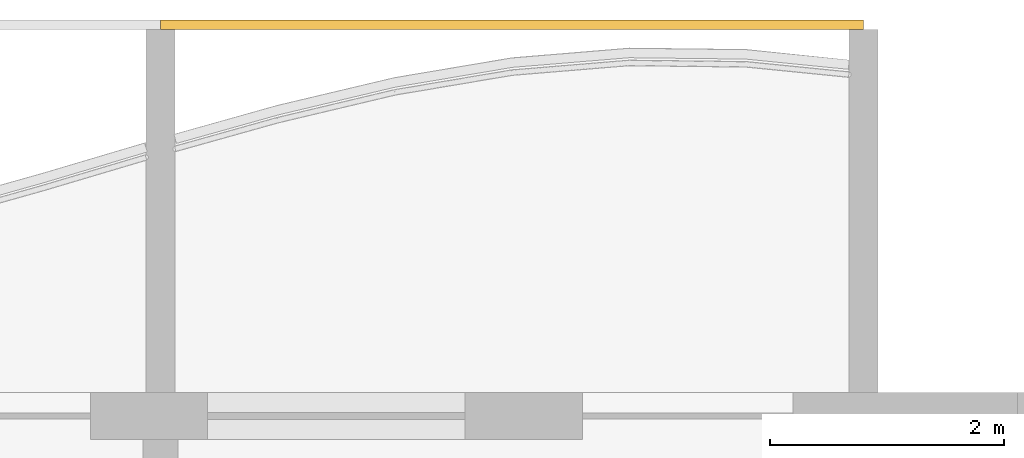
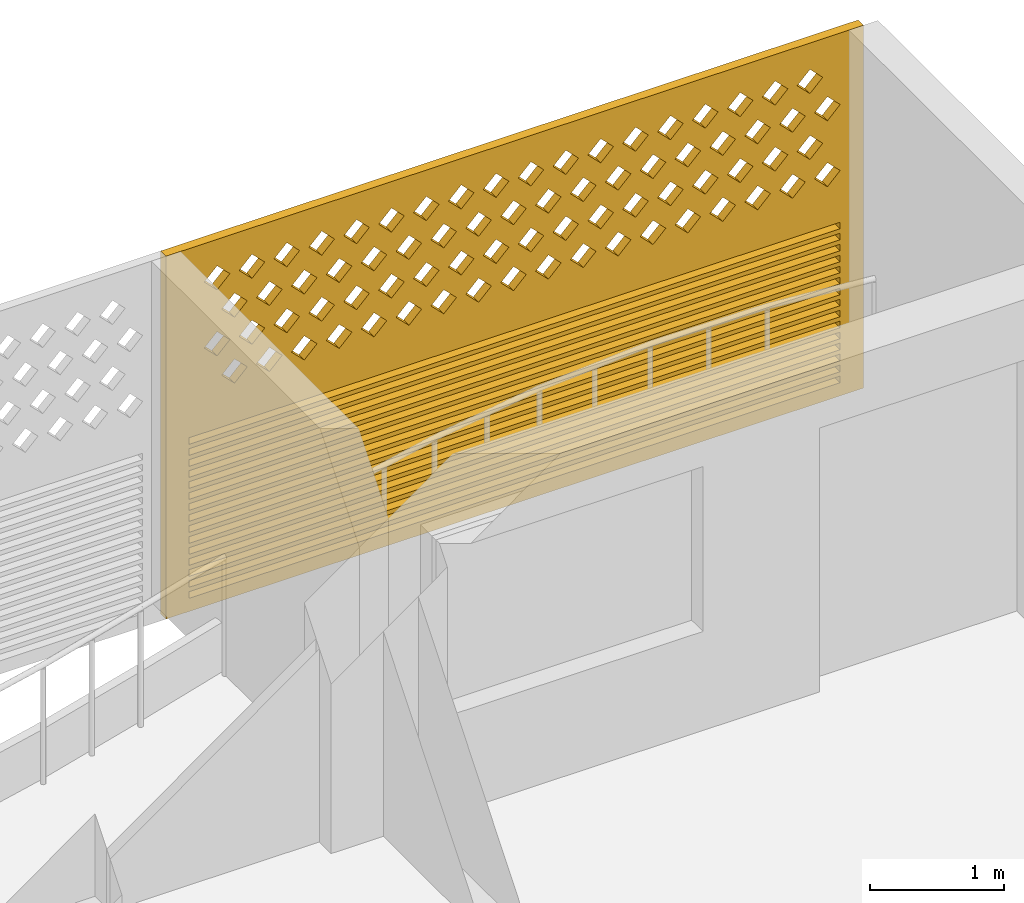
# One storey, part 26 of 26: 1 covering.
"""IFC4 building model written with IfcOpenShell, lengths in metres."""

from ifc_helpers import new_model, si_unit, direction, frame, origin, place, context, subcontext, project, spatial, polyline, outline, extrude, source, transform, mapped, material, material_profile, profile_set, type_object, element, save


model = new_model("IFC4")

# Units and contexts
model_context = context("Model", 3, precision=1e-05, world=origin(), true_north=direction((0.0, 1.0)))
body_context = subcontext(model_context, "Body", "Model", "MODEL_VIEW")
ifc_project = project(units=[si_unit("LENGTHUNIT", "METRE"), si_unit("AREAUNIT", "SQUARE_METRE"), si_unit("VOLUMEUNIT", "CUBIC_METRE"), si_unit("PLANEANGLEUNIT", "RADIAN"), si_unit("MASSUNIT", "GRAM", prefix="KILO")], contexts=[model_context])

# Site, building, storey
site_placement = place(None, origin())
site = spatial("IfcSite", under=ifc_project, at=site_placement, CompositionType="ELEMENT")
building_placement = place(site_placement, origin())
building = spatial("IfcBuilding", under=site, at=building_placement, Name="Poui Terraces", CompositionType="ELEMENT")
storey_placement = place(building_placement, frame((0.0, 0.0, 162.0)))
storey = spatial("IfcBuildingStorey", under=building, at=storey_placement, Name="L45", CompositionType="ELEMENT", Elevation=162.0)

# Covering
ifc_material = material(Name="Terracotta screen", Category="masonry")
ifc_material_profile = material_profile(ifc_material, outline(polyline([(-3.0, -1.64990234375), (3.0, -1.64990234375), (3.0, 1.64990234375), (-3.0, 1.64990234375), (-3.0, -1.64990234375)]), holes=[polyline([(-2.800048828125, 0.39990234375), (-2.68994140625, 0.2900390625), (-2.580078125, 0.39990234375), (-2.68994140625, 0.510009765625), (-2.800048828125, 0.39990234375)]), polyline([(-2.5, 0.39990234375), (-2.389892578125, 0.2900390625), (-2.280029296875, 0.39990234375), (-2.389892578125, 0.510009765625), (-2.5, 0.39990234375)]), polyline([(-2.199951171875, 0.39990234375), (-2.090087890625, 0.2900390625), (-1.97998046875, 0.39990234375), (-2.090087890625, 0.510009765625), (-2.199951171875, 0.39990234375)]), polyline([(-1.89990234375, 0.39990234375), (-1.7900390625, 0.2900390625), (-1.679931640625, 0.39990234375), (-1.7900390625, 0.510009765625), (-1.89990234375, 0.39990234375)]), polyline([(-1.60009765625, 0.39990234375), (-1.489990234375, 0.2900390625), (-1.3798828125, 0.39990234375), (-1.489990234375, 0.510009765625), (-1.60009765625, 0.39990234375)]), polyline([(-1.300048828125, 0.39990234375), (-1.18994140625, 0.2900390625), (-1.080078125, 0.39990234375), (-1.18994140625, 0.510009765625), (-1.300048828125, 0.39990234375)]), polyline([(-1.0, 0.39990234375), (-0.889892578125, 0.2900390625), (-0.780029296875, 0.39990234375), (-0.889892578125, 0.510009765625), (-1.0, 0.39990234375)]), polyline([(-0.699951171875, 0.39990234375), (-0.590087890625, 0.2900390625), (-0.47998046875, 0.39990234375), (-0.590087890625, 0.510009765625), (-0.699951171875, 0.39990234375)]), polyline([(-0.39990234375, 0.39990234375), (-0.2900390625, 0.2900390625), (-0.179931640625, 0.39990234375), (-0.2900390625, 0.510009765625), (-0.39990234375, 0.39990234375)]), polyline([(-0.10009765625, 0.39990234375), (0.010009765625, 0.2900390625), (0.1201171875, 0.39990234375), (0.010009765625, 0.510009765625), (-0.10009765625, 0.39990234375)]), polyline([(0.199951171875, 0.39990234375), (0.31005859375, 0.2900390625), (0.419921875, 0.39990234375), (0.31005859375, 0.510009765625), (0.199951171875, 0.39990234375)]), polyline([(0.5, 0.39990234375), (0.610107421875, 0.2900390625), (0.719970703125, 0.39990234375), (0.610107421875, 0.510009765625), (0.5, 0.39990234375)]), polyline([(0.800048828125, 0.39990234375), (0.909912109375, 0.2900390625), (1.02001953125, 0.39990234375), (0.909912109375, 0.510009765625), (0.800048828125, 0.39990234375)]), polyline([(1.10009765625, 0.39990234375), (1.2099609375, 0.2900390625), (1.320068359375, 0.39990234375), (1.2099609375, 0.510009765625), (1.10009765625, 0.39990234375)]), polyline([(1.39990234375, 0.39990234375), (1.510009765625, 0.2900390625), (1.6201171875, 0.39990234375), (1.510009765625, 0.510009765625), (1.39990234375, 0.39990234375)]), polyline([(1.699951171875, 0.39990234375), (1.81005859375, 0.2900390625), (1.919921875, 0.39990234375), (1.81005859375, 0.510009765625), (1.699951171875, 0.39990234375)]), polyline([(2.0, 0.39990234375), (2.110107421875, 0.2900390625), (2.219970703125, 0.39990234375), (2.110107421875, 0.510009765625), (2.0, 0.39990234375)]), polyline([(2.300048828125, 0.39990234375), (2.409912109375, 0.2900390625), (2.52001953125, 0.39990234375), (2.409912109375, 0.510009765625), (2.300048828125, 0.39990234375)]), polyline([(-2.64990234375, 0.699951171875), (-2.5400390625, 0.590087890625), (-2.429931640625, 0.699951171875), (-2.5400390625, 0.81005859375), (-2.64990234375, 0.699951171875)]), polyline([(-2.35009765625, 0.699951171875), (-2.239990234375, 0.590087890625), (-2.1298828125, 0.699951171875), (-2.239990234375, 0.81005859375), (-2.35009765625, 0.699951171875)]), polyline([(-2.050048828125, 0.699951171875), (-1.93994140625, 0.590087890625), (-1.830078125, 0.699951171875), (-1.93994140625, 0.81005859375), (-2.050048828125, 0.699951171875)]), polyline([(-1.75, 0.699951171875), (-1.639892578125, 0.590087890625), (-1.530029296875, 0.699951171875), (-1.639892578125, 0.81005859375), (-1.75, 0.699951171875)]), polyline([(-1.449951171875, 0.699951171875), (-1.340087890625, 0.590087890625), (-1.22998046875, 0.699951171875), (-1.340087890625, 0.81005859375), (-1.449951171875, 0.699951171875)]), polyline([(-1.14990234375, 0.699951171875), (-1.0400390625, 0.590087890625), (-0.929931640625, 0.699951171875), (-1.0400390625, 0.81005859375), (-1.14990234375, 0.699951171875)]), polyline([(-0.85009765625, 0.699951171875), (-0.739990234375, 0.590087890625), (-0.6298828125, 0.699951171875), (-0.739990234375, 0.81005859375), (-0.85009765625, 0.699951171875)]), polyline([(-0.550048828125, 0.699951171875), (-0.43994140625, 0.590087890625), (-0.330078125, 0.699951171875), (-0.43994140625, 0.81005859375), (-0.550048828125, 0.699951171875)]), polyline([(-0.25, 0.699951171875), (-0.139892578125, 0.590087890625), (-0.030029296875, 0.699951171875), (-0.139892578125, 0.81005859375), (-0.25, 0.699951171875)]), polyline([(0.050048828125, 0.699951171875), (0.159912109375, 0.590087890625), (0.27001953125, 0.699951171875), (0.159912109375, 0.81005859375), (0.050048828125, 0.699951171875)]), polyline([(0.35009765625, 0.699951171875), (0.4599609375, 0.590087890625), (0.570068359375, 0.699951171875), (0.4599609375, 0.81005859375), (0.35009765625, 0.699951171875)]), polyline([(0.64990234375, 0.699951171875), (0.760009765625, 0.590087890625), (0.8701171875, 0.699951171875), (0.760009765625, 0.81005859375), (0.64990234375, 0.699951171875)]), polyline([(0.949951171875, 0.699951171875), (1.06005859375, 0.590087890625), (1.169921875, 0.699951171875), (1.06005859375, 0.81005859375), (0.949951171875, 0.699951171875)]), polyline([(1.25, 0.699951171875), (1.360107421875, 0.590087890625), (1.469970703125, 0.699951171875), (1.360107421875, 0.81005859375), (1.25, 0.699951171875)]), polyline([(1.550048828125, 0.699951171875), (1.659912109375, 0.590087890625), (1.77001953125, 0.699951171875), (1.659912109375, 0.81005859375), (1.550048828125, 0.699951171875)]), polyline([(1.85009765625, 0.699951171875), (1.9599609375, 0.590087890625), (2.070068359375, 0.699951171875), (1.9599609375, 0.81005859375), (1.85009765625, 0.699951171875)]), polyline([(2.14990234375, 0.699951171875), (2.260009765625, 0.590087890625), (2.3701171875, 0.699951171875), (2.260009765625, 0.81005859375), (2.14990234375, 0.699951171875)]), polyline([(2.449951171875, 0.699951171875), (2.56005859375, 0.590087890625), (2.669921875, 0.699951171875), (2.56005859375, 0.81005859375), (2.449951171875, 0.699951171875)]), polyline([(-2.800048828125, 1.0), (-2.68994140625, 0.889892578125), (-2.580078125, 1.0), (-2.68994140625, 1.110107421875), (-2.800048828125, 1.0)]), polyline([(-2.5, 1.0), (-2.389892578125, 0.889892578125), (-2.280029296875, 1.0), (-2.389892578125, 1.110107421875), (-2.5, 1.0)]), polyline([(-2.199951171875, 1.0), (-2.090087890625, 0.889892578125), (-1.97998046875, 1.0), (-2.090087890625, 1.110107421875), (-2.199951171875, 1.0)]), polyline([(-1.89990234375, 1.0), (-1.7900390625, 0.889892578125), (-1.679931640625, 1.0), (-1.7900390625, 1.110107421875), (-1.89990234375, 1.0)]), polyline([(-1.60009765625, 1.0), (-1.489990234375, 0.889892578125), (-1.3798828125, 1.0), (-1.489990234375, 1.110107421875), (-1.60009765625, 1.0)]), polyline([(-1.300048828125, 1.0), (-1.18994140625, 0.889892578125), (-1.080078125, 1.0), (-1.18994140625, 1.110107421875), (-1.300048828125, 1.0)]), polyline([(-1.0, 1.0), (-0.889892578125, 0.889892578125), (-0.780029296875, 1.0), (-0.889892578125, 1.110107421875), (-1.0, 1.0)]), polyline([(-0.699951171875, 1.0), (-0.590087890625, 0.889892578125), (-0.47998046875, 1.0), (-0.590087890625, 1.110107421875), (-0.699951171875, 1.0)]), polyline([(-0.39990234375, 1.0), (-0.2900390625, 0.889892578125), (-0.179931640625, 1.0), (-0.2900390625, 1.110107421875), (-0.39990234375, 1.0)]), polyline([(-0.10009765625, 1.0), (0.010009765625, 0.889892578125), (0.1201171875, 1.0), (0.010009765625, 1.110107421875), (-0.10009765625, 1.0)]), polyline([(0.199951171875, 1.0), (0.31005859375, 0.889892578125), (0.419921875, 1.0), (0.31005859375, 1.110107421875), (0.199951171875, 1.0)]), polyline([(0.5, 1.0), (0.610107421875, 0.889892578125), (0.719970703125, 1.0), (0.610107421875, 1.110107421875), (0.5, 1.0)]), polyline([(0.800048828125, 1.0), (0.909912109375, 0.889892578125), (1.02001953125, 1.0), (0.909912109375, 1.110107421875), (0.800048828125, 1.0)]), polyline([(1.10009765625, 1.0), (1.2099609375, 0.889892578125), (1.320068359375, 1.0), (1.2099609375, 1.110107421875), (1.10009765625, 1.0)]), polyline([(1.39990234375, 1.0), (1.510009765625, 0.889892578125), (1.6201171875, 1.0), (1.510009765625, 1.110107421875), (1.39990234375, 1.0)]), polyline([(1.699951171875, 1.0), (1.81005859375, 0.889892578125), (1.919921875, 1.0), (1.81005859375, 1.110107421875), (1.699951171875, 1.0)]), polyline([(2.0, 1.0), (2.110107421875, 0.889892578125), (2.219970703125, 1.0), (2.110107421875, 1.110107421875), (2.0, 1.0)]), polyline([(2.300048828125, 1.0), (2.409912109375, 0.889892578125), (2.52001953125, 1.0), (2.409912109375, 1.110107421875), (2.300048828125, 1.0)]), polyline([(-2.64990234375, 1.300048828125), (-2.5400390625, 1.18994140625), (-2.429931640625, 1.300048828125), (-2.5400390625, 1.409912109375), (-2.64990234375, 1.300048828125)]), polyline([(-2.35009765625, 1.300048828125), (-2.239990234375, 1.18994140625), (-2.1298828125, 1.300048828125), (-2.239990234375, 1.409912109375), (-2.35009765625, 1.300048828125)]), polyline([(-2.050048828125, 1.300048828125), (-1.93994140625, 1.18994140625), (-1.830078125, 1.300048828125), (-1.93994140625, 1.409912109375), (-2.050048828125, 1.300048828125)]), polyline([(-1.75, 1.300048828125), (-1.639892578125, 1.18994140625), (-1.530029296875, 1.300048828125), (-1.639892578125, 1.409912109375), (-1.75, 1.300048828125)]), polyline([(-1.449951171875, 1.300048828125), (-1.340087890625, 1.18994140625), (-1.22998046875, 1.300048828125), (-1.340087890625, 1.409912109375), (-1.449951171875, 1.300048828125)]), polyline([(-1.14990234375, 1.300048828125), (-1.0400390625, 1.18994140625), (-0.929931640625, 1.300048828125), (-1.0400390625, 1.409912109375), (-1.14990234375, 1.300048828125)]), polyline([(-0.85009765625, 1.300048828125), (-0.739990234375, 1.18994140625), (-0.6298828125, 1.300048828125), (-0.739990234375, 1.409912109375), (-0.85009765625, 1.300048828125)]), polyline([(-0.550048828125, 1.300048828125), (-0.43994140625, 1.18994140625), (-0.330078125, 1.300048828125), (-0.43994140625, 1.409912109375), (-0.550048828125, 1.300048828125)]), polyline([(-0.25, 1.300048828125), (-0.139892578125, 1.18994140625), (-0.030029296875, 1.300048828125), (-0.139892578125, 1.409912109375), (-0.25, 1.300048828125)]), polyline([(0.050048828125, 1.300048828125), (0.159912109375, 1.18994140625), (0.27001953125, 1.300048828125), (0.159912109375, 1.409912109375), (0.050048828125, 1.300048828125)]), polyline([(0.35009765625, 1.300048828125), (0.4599609375, 1.18994140625), (0.570068359375, 1.300048828125), (0.4599609375, 1.409912109375), (0.35009765625, 1.300048828125)]), polyline([(0.64990234375, 1.300048828125), (0.760009765625, 1.18994140625), (0.8701171875, 1.300048828125), (0.760009765625, 1.409912109375), (0.64990234375, 1.300048828125)]), polyline([(0.949951171875, 1.300048828125), (1.06005859375, 1.18994140625), (1.169921875, 1.300048828125), (1.06005859375, 1.409912109375), (0.949951171875, 1.300048828125)]), polyline([(1.25, 1.300048828125), (1.360107421875, 1.18994140625), (1.469970703125, 1.300048828125), (1.360107421875, 1.409912109375), (1.25, 1.300048828125)]), polyline([(1.550048828125, 1.300048828125), (1.659912109375, 1.18994140625), (1.77001953125, 1.300048828125), (1.659912109375, 1.409912109375), (1.550048828125, 1.300048828125)]), polyline([(1.85009765625, 1.300048828125), (1.9599609375, 1.18994140625), (2.070068359375, 1.300048828125), (1.9599609375, 1.409912109375), (1.85009765625, 1.300048828125)]), polyline([(2.14990234375, 1.300048828125), (2.260009765625, 1.18994140625), (2.3701171875, 1.300048828125), (2.260009765625, 1.409912109375), (2.14990234375, 1.300048828125)]), polyline([(2.449951171875, 1.300048828125), (2.56005859375, 1.18994140625), (2.669921875, 1.300048828125), (2.56005859375, 1.409912109375), (2.449951171875, 1.300048828125)]), polyline([(-2.800048828125, -1.530029296875), (2.800048828125, -1.530029296875), (2.800048828125, -1.469970703125), (-2.800048828125, -1.469970703125), (-2.800048828125, -1.530029296875)]), polyline([(-2.800048828125, -1.429931640625), (2.800048828125, -1.429931640625), (2.800048828125, -1.3701171875), (-2.800048828125, -1.3701171875), (-2.800048828125, -1.429931640625)]), polyline([(-2.800048828125, -1.330078125), (2.800048828125, -1.330078125), (2.800048828125, -1.27001953125), (-2.800048828125, -1.27001953125), (-2.800048828125, -1.330078125)]), polyline([(-2.800048828125, -1.22998046875), (2.800048828125, -1.22998046875), (2.800048828125, -1.169921875), (-2.800048828125, -1.169921875), (-2.800048828125, -1.22998046875)]), polyline([(-2.800048828125, -1.1298828125), (2.800048828125, -1.1298828125), (2.800048828125, -1.070068359375), (-2.800048828125, -1.070068359375), (-2.800048828125, -1.1298828125)]), polyline([(-2.800048828125, -1.030029296875), (2.800048828125, -1.030029296875), (2.800048828125, -0.969970703125), (-2.800048828125, -0.969970703125), (-2.800048828125, -1.030029296875)]), polyline([(-2.800048828125, -0.929931640625), (2.800048828125, -0.929931640625), (2.800048828125, -0.8701171875), (-2.800048828125, -0.8701171875), (-2.800048828125, -0.929931640625)]), polyline([(-2.800048828125, -0.830078125), (2.800048828125, -0.830078125), (2.800048828125, -0.77001953125), (-2.800048828125, -0.77001953125), (-2.800048828125, -0.830078125)]), polyline([(-2.800048828125, -0.72998046875), (2.800048828125, -0.72998046875), (2.800048828125, -0.669921875), (-2.800048828125, -0.669921875), (-2.800048828125, -0.72998046875)]), polyline([(-2.800048828125, -0.6298828125), (2.800048828125, -0.6298828125), (2.800048828125, -0.570068359375), (-2.800048828125, -0.570068359375), (-2.800048828125, -0.6298828125)]), polyline([(-2.800048828125, -0.530029296875), (2.800048828125, -0.530029296875), (2.800048828125, -0.469970703125), (-2.800048828125, -0.469970703125), (-2.800048828125, -0.530029296875)]), polyline([(-2.800048828125, -0.429931640625), (2.800048828125, -0.429931640625), (2.800048828125, -0.3701171875), (-2.800048828125, -0.3701171875), (-2.800048828125, -0.429931640625)]), polyline([(-2.800048828125, -0.330078125), (2.800048828125, -0.330078125), (2.800048828125, -0.27001953125), (-2.800048828125, -0.27001953125), (-2.800048828125, -0.330078125)]), polyline([(-2.800048828125, -0.22998046875), (2.800048828125, -0.22998046875), (2.800048828125, -0.169921875), (-2.800048828125, -0.169921875), (-2.800048828125, -0.22998046875)]), polyline([(-2.800048828125, -0.1298828125), (2.800048828125, -0.1298828125), (2.800048828125, -0.070068359375), (-2.800048828125, -0.070068359375), (-2.800048828125, -0.1298828125)])]), Name="TERRACOTTA SCREEN AND JALOUSIE LOUVRE 6000X3300")
ifc_profile_set = profile_set([ifc_material_profile], Name="Terracotta screen")
covering_type = type_object("IfcCoveringType", Name="TERRACOTTA SCREEN AND JALOUSIE LOUVRE 6000X3300", PredefinedType="CLADDING", material=ifc_profile_set)
shared_shape = source(origin(), body_context, "Body", "SweptSolid", [
    extrude(outline(polyline([(-3.0, -1.64990234375), (3.0, -1.64990234375), (3.0, 1.64990234375), (-3.0, 1.64990234375), (-3.0, -1.64990234375)]), holes=[polyline([(-2.800048828125, 0.39990234375), (-2.68994140625, 0.2900390625), (-2.580078125, 0.39990234375), (-2.68994140625, 0.510009765625), (-2.800048828125, 0.39990234375)]), polyline([(-2.5, 0.39990234375), (-2.389892578125, 0.2900390625), (-2.280029296875, 0.39990234375), (-2.389892578125, 0.510009765625), (-2.5, 0.39990234375)]), polyline([(-2.199951171875, 0.39990234375), (-2.090087890625, 0.2900390625), (-1.97998046875, 0.39990234375), (-2.090087890625, 0.510009765625), (-2.199951171875, 0.39990234375)]), polyline([(-1.89990234375, 0.39990234375), (-1.7900390625, 0.2900390625), (-1.679931640625, 0.39990234375), (-1.7900390625, 0.510009765625), (-1.89990234375, 0.39990234375)]), polyline([(-1.60009765625, 0.39990234375), (-1.489990234375, 0.2900390625), (-1.3798828125, 0.39990234375), (-1.489990234375, 0.510009765625), (-1.60009765625, 0.39990234375)]), polyline([(-1.300048828125, 0.39990234375), (-1.18994140625, 0.2900390625), (-1.080078125, 0.39990234375), (-1.18994140625, 0.510009765625), (-1.300048828125, 0.39990234375)]), polyline([(-1.0, 0.39990234375), (-0.889892578125, 0.2900390625), (-0.780029296875, 0.39990234375), (-0.889892578125, 0.510009765625), (-1.0, 0.39990234375)]), polyline([(-0.699951171875, 0.39990234375), (-0.590087890625, 0.2900390625), (-0.47998046875, 0.39990234375), (-0.590087890625, 0.510009765625), (-0.699951171875, 0.39990234375)]), polyline([(-0.39990234375, 0.39990234375), (-0.2900390625, 0.2900390625), (-0.179931640625, 0.39990234375), (-0.2900390625, 0.510009765625), (-0.39990234375, 0.39990234375)]), polyline([(-0.10009765625, 0.39990234375), (0.010009765625, 0.2900390625), (0.1201171875, 0.39990234375), (0.010009765625, 0.510009765625), (-0.10009765625, 0.39990234375)]), polyline([(0.199951171875, 0.39990234375), (0.31005859375, 0.2900390625), (0.419921875, 0.39990234375), (0.31005859375, 0.510009765625), (0.199951171875, 0.39990234375)]), polyline([(0.5, 0.39990234375), (0.610107421875, 0.2900390625), (0.719970703125, 0.39990234375), (0.610107421875, 0.510009765625), (0.5, 0.39990234375)]), polyline([(0.800048828125, 0.39990234375), (0.909912109375, 0.2900390625), (1.02001953125, 0.39990234375), (0.909912109375, 0.510009765625), (0.800048828125, 0.39990234375)]), polyline([(1.10009765625, 0.39990234375), (1.2099609375, 0.2900390625), (1.320068359375, 0.39990234375), (1.2099609375, 0.510009765625), (1.10009765625, 0.39990234375)]), polyline([(1.39990234375, 0.39990234375), (1.510009765625, 0.2900390625), (1.6201171875, 0.39990234375), (1.510009765625, 0.510009765625), (1.39990234375, 0.39990234375)]), polyline([(1.699951171875, 0.39990234375), (1.81005859375, 0.2900390625), (1.919921875, 0.39990234375), (1.81005859375, 0.510009765625), (1.699951171875, 0.39990234375)]), polyline([(2.0, 0.39990234375), (2.110107421875, 0.2900390625), (2.219970703125, 0.39990234375), (2.110107421875, 0.510009765625), (2.0, 0.39990234375)]), polyline([(2.300048828125, 0.39990234375), (2.409912109375, 0.2900390625), (2.52001953125, 0.39990234375), (2.409912109375, 0.510009765625), (2.300048828125, 0.39990234375)]), polyline([(-2.64990234375, 0.699951171875), (-2.5400390625, 0.590087890625), (-2.429931640625, 0.699951171875), (-2.5400390625, 0.81005859375), (-2.64990234375, 0.699951171875)]), polyline([(-2.35009765625, 0.699951171875), (-2.239990234375, 0.590087890625), (-2.1298828125, 0.699951171875), (-2.239990234375, 0.81005859375), (-2.35009765625, 0.699951171875)]), polyline([(-2.050048828125, 0.699951171875), (-1.93994140625, 0.590087890625), (-1.830078125, 0.699951171875), (-1.93994140625, 0.81005859375), (-2.050048828125, 0.699951171875)]), polyline([(-1.75, 0.699951171875), (-1.639892578125, 0.590087890625), (-1.530029296875, 0.699951171875), (-1.639892578125, 0.81005859375), (-1.75, 0.699951171875)]), polyline([(-1.449951171875, 0.699951171875), (-1.340087890625, 0.590087890625), (-1.22998046875, 0.699951171875), (-1.340087890625, 0.81005859375), (-1.449951171875, 0.699951171875)]), polyline([(-1.14990234375, 0.699951171875), (-1.0400390625, 0.590087890625), (-0.929931640625, 0.699951171875), (-1.0400390625, 0.81005859375), (-1.14990234375, 0.699951171875)]), polyline([(-0.85009765625, 0.699951171875), (-0.739990234375, 0.590087890625), (-0.6298828125, 0.699951171875), (-0.739990234375, 0.81005859375), (-0.85009765625, 0.699951171875)]), polyline([(-0.550048828125, 0.699951171875), (-0.43994140625, 0.590087890625), (-0.330078125, 0.699951171875), (-0.43994140625, 0.81005859375), (-0.550048828125, 0.699951171875)]), polyline([(-0.25, 0.699951171875), (-0.139892578125, 0.590087890625), (-0.030029296875, 0.699951171875), (-0.139892578125, 0.81005859375), (-0.25, 0.699951171875)]), polyline([(0.050048828125, 0.699951171875), (0.159912109375, 0.590087890625), (0.27001953125, 0.699951171875), (0.159912109375, 0.81005859375), (0.050048828125, 0.699951171875)]), polyline([(0.35009765625, 0.699951171875), (0.4599609375, 0.590087890625), (0.570068359375, 0.699951171875), (0.4599609375, 0.81005859375), (0.35009765625, 0.699951171875)]), polyline([(0.64990234375, 0.699951171875), (0.760009765625, 0.590087890625), (0.8701171875, 0.699951171875), (0.760009765625, 0.81005859375), (0.64990234375, 0.699951171875)]), polyline([(0.949951171875, 0.699951171875), (1.06005859375, 0.590087890625), (1.169921875, 0.699951171875), (1.06005859375, 0.81005859375), (0.949951171875, 0.699951171875)]), polyline([(1.25, 0.699951171875), (1.360107421875, 0.590087890625), (1.469970703125, 0.699951171875), (1.360107421875, 0.81005859375), (1.25, 0.699951171875)]), polyline([(1.550048828125, 0.699951171875), (1.659912109375, 0.590087890625), (1.77001953125, 0.699951171875), (1.659912109375, 0.81005859375), (1.550048828125, 0.699951171875)]), polyline([(1.85009765625, 0.699951171875), (1.9599609375, 0.590087890625), (2.070068359375, 0.699951171875), (1.9599609375, 0.81005859375), (1.85009765625, 0.699951171875)]), polyline([(2.14990234375, 0.699951171875), (2.260009765625, 0.590087890625), (2.3701171875, 0.699951171875), (2.260009765625, 0.81005859375), (2.14990234375, 0.699951171875)]), polyline([(2.449951171875, 0.699951171875), (2.56005859375, 0.590087890625), (2.669921875, 0.699951171875), (2.56005859375, 0.81005859375), (2.449951171875, 0.699951171875)]), polyline([(-2.800048828125, 1.0), (-2.68994140625, 0.889892578125), (-2.580078125, 1.0), (-2.68994140625, 1.110107421875), (-2.800048828125, 1.0)]), polyline([(-2.5, 1.0), (-2.389892578125, 0.889892578125), (-2.280029296875, 1.0), (-2.389892578125, 1.110107421875), (-2.5, 1.0)]), polyline([(-2.199951171875, 1.0), (-2.090087890625, 0.889892578125), (-1.97998046875, 1.0), (-2.090087890625, 1.110107421875), (-2.199951171875, 1.0)]), polyline([(-1.89990234375, 1.0), (-1.7900390625, 0.889892578125), (-1.679931640625, 1.0), (-1.7900390625, 1.110107421875), (-1.89990234375, 1.0)]), polyline([(-1.60009765625, 1.0), (-1.489990234375, 0.889892578125), (-1.3798828125, 1.0), (-1.489990234375, 1.110107421875), (-1.60009765625, 1.0)]), polyline([(-1.300048828125, 1.0), (-1.18994140625, 0.889892578125), (-1.080078125, 1.0), (-1.18994140625, 1.110107421875), (-1.300048828125, 1.0)]), polyline([(-1.0, 1.0), (-0.889892578125, 0.889892578125), (-0.780029296875, 1.0), (-0.889892578125, 1.110107421875), (-1.0, 1.0)]), polyline([(-0.699951171875, 1.0), (-0.590087890625, 0.889892578125), (-0.47998046875, 1.0), (-0.590087890625, 1.110107421875), (-0.699951171875, 1.0)]), polyline([(-0.39990234375, 1.0), (-0.2900390625, 0.889892578125), (-0.179931640625, 1.0), (-0.2900390625, 1.110107421875), (-0.39990234375, 1.0)]), polyline([(-0.10009765625, 1.0), (0.010009765625, 0.889892578125), (0.1201171875, 1.0), (0.010009765625, 1.110107421875), (-0.10009765625, 1.0)]), polyline([(0.199951171875, 1.0), (0.31005859375, 0.889892578125), (0.419921875, 1.0), (0.31005859375, 1.110107421875), (0.199951171875, 1.0)]), polyline([(0.5, 1.0), (0.610107421875, 0.889892578125), (0.719970703125, 1.0), (0.610107421875, 1.110107421875), (0.5, 1.0)]), polyline([(0.800048828125, 1.0), (0.909912109375, 0.889892578125), (1.02001953125, 1.0), (0.909912109375, 1.110107421875), (0.800048828125, 1.0)]), polyline([(1.10009765625, 1.0), (1.2099609375, 0.889892578125), (1.320068359375, 1.0), (1.2099609375, 1.110107421875), (1.10009765625, 1.0)]), polyline([(1.39990234375, 1.0), (1.510009765625, 0.889892578125), (1.6201171875, 1.0), (1.510009765625, 1.110107421875), (1.39990234375, 1.0)]), polyline([(1.699951171875, 1.0), (1.81005859375, 0.889892578125), (1.919921875, 1.0), (1.81005859375, 1.110107421875), (1.699951171875, 1.0)]), polyline([(2.0, 1.0), (2.110107421875, 0.889892578125), (2.219970703125, 1.0), (2.110107421875, 1.110107421875), (2.0, 1.0)]), polyline([(2.300048828125, 1.0), (2.409912109375, 0.889892578125), (2.52001953125, 1.0), (2.409912109375, 1.110107421875), (2.300048828125, 1.0)]), polyline([(-2.64990234375, 1.300048828125), (-2.5400390625, 1.18994140625), (-2.429931640625, 1.300048828125), (-2.5400390625, 1.409912109375), (-2.64990234375, 1.300048828125)]), polyline([(-2.35009765625, 1.300048828125), (-2.239990234375, 1.18994140625), (-2.1298828125, 1.300048828125), (-2.239990234375, 1.409912109375), (-2.35009765625, 1.300048828125)]), polyline([(-2.050048828125, 1.300048828125), (-1.93994140625, 1.18994140625), (-1.830078125, 1.300048828125), (-1.93994140625, 1.409912109375), (-2.050048828125, 1.300048828125)]), polyline([(-1.75, 1.300048828125), (-1.639892578125, 1.18994140625), (-1.530029296875, 1.300048828125), (-1.639892578125, 1.409912109375), (-1.75, 1.300048828125)]), polyline([(-1.449951171875, 1.300048828125), (-1.340087890625, 1.18994140625), (-1.22998046875, 1.300048828125), (-1.340087890625, 1.409912109375), (-1.449951171875, 1.300048828125)]), polyline([(-1.14990234375, 1.300048828125), (-1.0400390625, 1.18994140625), (-0.929931640625, 1.300048828125), (-1.0400390625, 1.409912109375), (-1.14990234375, 1.300048828125)]), polyline([(-0.85009765625, 1.300048828125), (-0.739990234375, 1.18994140625), (-0.6298828125, 1.300048828125), (-0.739990234375, 1.409912109375), (-0.85009765625, 1.300048828125)]), polyline([(-0.550048828125, 1.300048828125), (-0.43994140625, 1.18994140625), (-0.330078125, 1.300048828125), (-0.43994140625, 1.409912109375), (-0.550048828125, 1.300048828125)]), polyline([(-0.25, 1.300048828125), (-0.139892578125, 1.18994140625), (-0.030029296875, 1.300048828125), (-0.139892578125, 1.409912109375), (-0.25, 1.300048828125)]), polyline([(0.050048828125, 1.300048828125), (0.159912109375, 1.18994140625), (0.27001953125, 1.300048828125), (0.159912109375, 1.409912109375), (0.050048828125, 1.300048828125)]), polyline([(0.35009765625, 1.300048828125), (0.4599609375, 1.18994140625), (0.570068359375, 1.300048828125), (0.4599609375, 1.409912109375), (0.35009765625, 1.300048828125)]), polyline([(0.64990234375, 1.300048828125), (0.760009765625, 1.18994140625), (0.8701171875, 1.300048828125), (0.760009765625, 1.409912109375), (0.64990234375, 1.300048828125)]), polyline([(0.949951171875, 1.300048828125), (1.06005859375, 1.18994140625), (1.169921875, 1.300048828125), (1.06005859375, 1.409912109375), (0.949951171875, 1.300048828125)]), polyline([(1.25, 1.300048828125), (1.360107421875, 1.18994140625), (1.469970703125, 1.300048828125), (1.360107421875, 1.409912109375), (1.25, 1.300048828125)]), polyline([(1.550048828125, 1.300048828125), (1.659912109375, 1.18994140625), (1.77001953125, 1.300048828125), (1.659912109375, 1.409912109375), (1.550048828125, 1.300048828125)]), polyline([(1.85009765625, 1.300048828125), (1.9599609375, 1.18994140625), (2.070068359375, 1.300048828125), (1.9599609375, 1.409912109375), (1.85009765625, 1.300048828125)]), polyline([(2.14990234375, 1.300048828125), (2.260009765625, 1.18994140625), (2.3701171875, 1.300048828125), (2.260009765625, 1.409912109375), (2.14990234375, 1.300048828125)]), polyline([(2.449951171875, 1.300048828125), (2.56005859375, 1.18994140625), (2.669921875, 1.300048828125), (2.56005859375, 1.409912109375), (2.449951171875, 1.300048828125)]), polyline([(-2.800048828125, -1.530029296875), (2.800048828125, -1.530029296875), (2.800048828125, -1.469970703125), (-2.800048828125, -1.469970703125), (-2.800048828125, -1.530029296875)]), polyline([(-2.800048828125, -1.429931640625), (2.800048828125, -1.429931640625), (2.800048828125, -1.3701171875), (-2.800048828125, -1.3701171875), (-2.800048828125, -1.429931640625)]), polyline([(-2.800048828125, -1.330078125), (2.800048828125, -1.330078125), (2.800048828125, -1.27001953125), (-2.800048828125, -1.27001953125), (-2.800048828125, -1.330078125)]), polyline([(-2.800048828125, -1.22998046875), (2.800048828125, -1.22998046875), (2.800048828125, -1.169921875), (-2.800048828125, -1.169921875), (-2.800048828125, -1.22998046875)]), polyline([(-2.800048828125, -1.1298828125), (2.800048828125, -1.1298828125), (2.800048828125, -1.070068359375), (-2.800048828125, -1.070068359375), (-2.800048828125, -1.1298828125)]), polyline([(-2.800048828125, -1.030029296875), (2.800048828125, -1.030029296875), (2.800048828125, -0.969970703125), (-2.800048828125, -0.969970703125), (-2.800048828125, -1.030029296875)]), polyline([(-2.800048828125, -0.929931640625), (2.800048828125, -0.929931640625), (2.800048828125, -0.8701171875), (-2.800048828125, -0.8701171875), (-2.800048828125, -0.929931640625)]), polyline([(-2.800048828125, -0.830078125), (2.800048828125, -0.830078125), (2.800048828125, -0.77001953125), (-2.800048828125, -0.77001953125), (-2.800048828125, -0.830078125)]), polyline([(-2.800048828125, -0.72998046875), (2.800048828125, -0.72998046875), (2.800048828125, -0.669921875), (-2.800048828125, -0.669921875), (-2.800048828125, -0.72998046875)]), polyline([(-2.800048828125, -0.6298828125), (2.800048828125, -0.6298828125), (2.800048828125, -0.570068359375), (-2.800048828125, -0.570068359375), (-2.800048828125, -0.6298828125)]), polyline([(-2.800048828125, -0.530029296875), (2.800048828125, -0.530029296875), (2.800048828125, -0.469970703125), (-2.800048828125, -0.469970703125), (-2.800048828125, -0.530029296875)]), polyline([(-2.800048828125, -0.429931640625), (2.800048828125, -0.429931640625), (2.800048828125, -0.3701171875), (-2.800048828125, -0.3701171875), (-2.800048828125, -0.429931640625)]), polyline([(-2.800048828125, -0.330078125), (2.800048828125, -0.330078125), (2.800048828125, -0.27001953125), (-2.800048828125, -0.27001953125), (-2.800048828125, -0.330078125)]), polyline([(-2.800048828125, -0.22998046875), (2.800048828125, -0.22998046875), (2.800048828125, -0.169921875), (-2.800048828125, -0.169921875), (-2.800048828125, -0.22998046875)]), polyline([(-2.800048828125, -0.1298828125), (2.800048828125, -0.1298828125), (2.800048828125, -0.070068359375), (-2.800048828125, -0.070068359375), (-2.800048828125, -0.1298828125)])]), origin(), (0.0, 0.0, 1.0), 0.080078125),
])
covering_placement = place(storey_placement, frame((75.0, 45.699951171875, 1.449951171875), z_axis=(0.0, 1.0, 0.0), x_axis=(-1.0, 0.0, 0.0)))
element("IfcCovering", 1, at=covering_placement, inside=storey, type_object=covering_type, Name="SOLAR SCREEN AND JALOUSIE LOUVRE", PredefinedType="CLADDING", context=body_context, shape_type="MappedRepresentation", body=[
    mapped(shared_shape, transform((0.0, 0.0, 0.0))),
])

save(model, "model.ifc")
